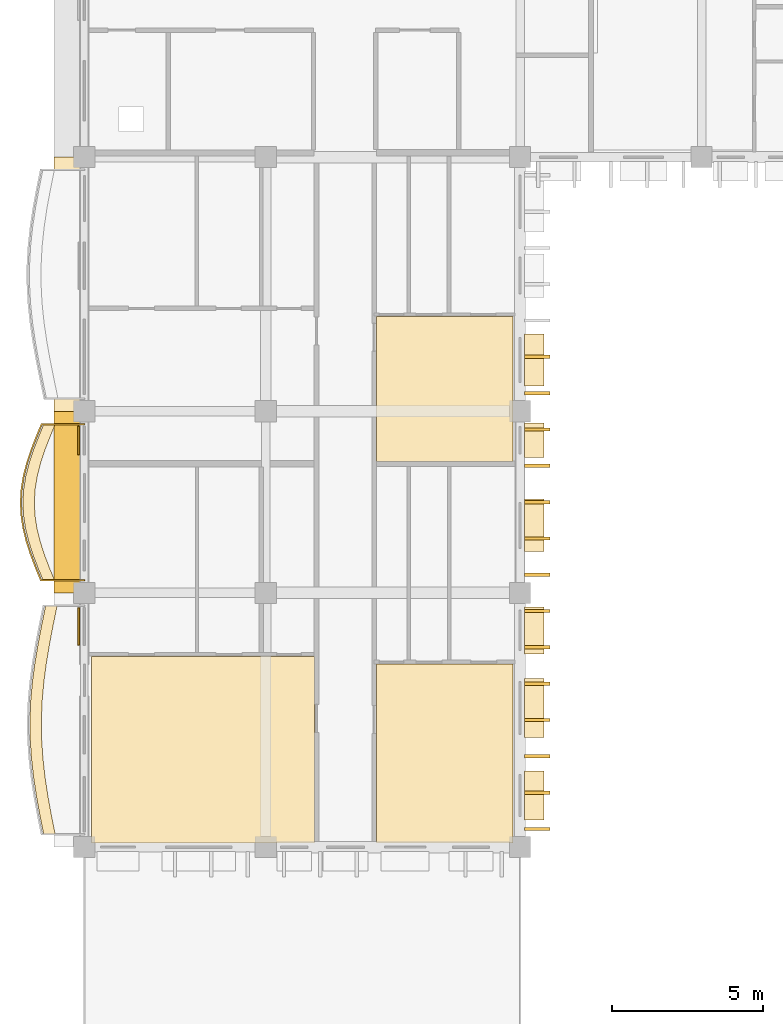
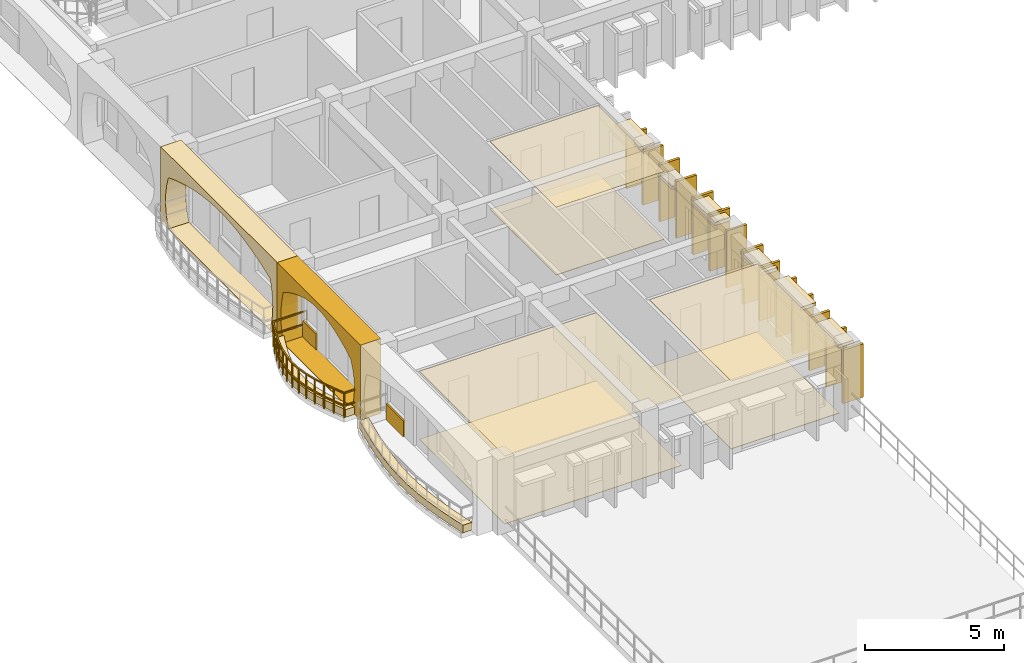
# One storey, part 47 of 66: 32 coverings, 1 railing.
"""IFC4 building model written with IfcOpenShell, lengths in metres."""

from ifc_helpers import new_model, si_unit, direction, frame, origin, origin_2d, place, context, subcontext, project, spatial, polyline, rectangle, outline, extrude, material, layer, layer_set, type_object, element, save


model = new_model("IFC4")

# Units and contexts
model_context = context("Model", 3, precision=1e-05, world=origin(), true_north=direction((0.0, 1.0)))
body_context = subcontext(model_context, "Body", "Model", "MODEL_VIEW")
ifc_project = project(units=[si_unit("LENGTHUNIT", "METRE"), si_unit("AREAUNIT", "SQUARE_METRE"), si_unit("VOLUMEUNIT", "CUBIC_METRE"), si_unit("PLANEANGLEUNIT", "RADIAN"), si_unit("MASSUNIT", "GRAM", prefix="KILO"), si_unit("THERMODYNAMICTEMPERATUREUNIT", "KELVIN")], contexts=[model_context])

# Site, building, storey
site_placement = place(None, origin())
site = spatial("IfcSite", under=ifc_project, at=site_placement, CompositionType="ELEMENT")
building_placement = place(site_placement, origin())
building = spatial("IfcBuilding", under=site, at=building_placement, Name="Thalorik Housing Commons", CompositionType="ELEMENT")
storey_placement = place(building_placement, frame((0.0, 0.0, 21.300048828125)))
storey = spatial("IfcBuildingStorey", under=building, at=storey_placement, Name="L06", CompositionType="ELEMENT", Elevation=21.300048828125)

# Coverings
ifc_material_1 = material(Name="Cobalt blue glazed ceramic facade tile panel", Category="masonry")
ifc_layer_1 = layer(ifc_material_1, 0.06005859375, Name="Cobalt blue glazed ceramic facade tile panel", Category="masonry")
ifc_layer_set_1 = layer_set([ifc_layer_1], Name="Cobalt blue glazed ceramic facade tile panel")
covering_type_1 = type_object("IfcCoveringType", Name="ARC-CLD-BLU-60", PredefinedType="CLADDING", material=ifc_layer_set_1)
covering_1_placement = place(storey_placement, frame((8.219970703125, 99.840087890625, 0.0498046875), z_axis=(0.0, 0.0, 1.0), x_axis=(0.0, -1.0, 0.0)))
element("IfcCovering", 1, at=covering_1_placement, inside=storey, type_object=covering_type_1, Name="L06 De Stijl Recessed Window Spandrel 684", PredefinedType="CLADDING", context=body_context, shape_type="SweptSolid", body=[
    extrude(rectangle(XDim=0.949951171875, YDim=0.06005859375, at=origin_2d()), origin(), (0.0, 0.0, 1.0), 0.699951171875),
])
ifc_material_2 = material(Name="Precast concrete C40/50", Category="concrete")
ifc_layer_2 = layer(ifc_material_2, 0.85009765625, Name="Precast concrete C40/50", Category="concrete")
ifc_layer_set_2 = layer_set([ifc_layer_2], Name="Precast concrete C40/50")
covering_type_2 = type_object("IfcCoveringType", Name="ARC-CLD-CUSH-850", PredefinedType="CLADDING", material=ifc_layer_set_2)
covering_2_placement = place(storey_placement, frame((7.830078125, 105.0, 0.0), z_axis=(0.0, 0.0, 1.0), x_axis=(0.0, -1.0, 0.0)))
element("IfcCovering", 2, at=covering_2_placement, inside=storey, type_object=covering_type_2, Name="L06 White Precast Curved Cushion Bay Frame 681", PredefinedType="CLADDING", context=body_context, shape_type="SweptSolid", body=[
    extrude(outline(polyline([(-4.199951171875, 0.0), (4.199951171875, 0.0), (4.199951171875, 3.300048828125), (-4.199951171875, 3.300048828125), (-4.199951171875, 0.0)]), holes=[polyline([(3.6923828125, 0.02490234375), (3.799560546875, 0.40087890625), (3.864013671875, 0.776611328125), (3.88525390625, 1.152587890625), (3.864013671875, 1.5283203125), (3.799560546875, 1.904296875), (3.6923828125, 2.280029296875), (3.082275390625, 2.51123046875), (2.47216796875, 2.693115234375), (1.86181640625, 2.840087890625), (1.251708984375, 2.94970703125), (0.6416015625, 3.01708984375), (0.03125, 3.0400390625), (-0.5791015625, 3.01708984375), (-1.189208984375, 2.94970703125), (-1.79931640625, 2.840087890625), (-2.40966796875, 2.693115234375), (-3.019775390625, 2.51123046875), (-3.6298828125, 2.280029296875), (-3.750244140625, 1.904296875), (-3.822509765625, 1.5283203125), (-3.8466796875, 1.152587890625), (-3.822509765625, 0.776611328125), (-3.750244140625, 0.40087890625), (-3.6298828125, 0.02490234375), (3.6923828125, 0.02490234375)])]), frame((0.0, 0.425048828125, 0.0), z_axis=(0.0, -1.0, 0.0), x_axis=(1.0, 0.0, 0.0)), (0.0, 0.0, 1.0), 0.85009765625),
])
covering_3_placement = place(storey_placement, frame((7.830078125, 97.800048828125, 0.0), z_axis=(0.0, 0.0, 1.0), x_axis=(0.0, -1.0, 0.0)))
element("IfcCovering", 3, at=covering_3_placement, inside=storey, type_object=covering_type_2, Name="L06 White Precast Curved Cushion Bay Frame 683", PredefinedType="CLADDING", context=body_context, shape_type="SweptSolid", body=[
    extrude(outline(polyline([(-3.0, 0.0), (3.0, 0.0), (3.0, 3.300048828125), (-3.0, 3.300048828125), (-3.0, 0.0)]), holes=[polyline([(2.31005859375, 0.02490234375), (2.455810546875, 0.394287109375), (2.543212890625, 0.76318359375), (2.572265625, 1.132568359375), (2.543212890625, 1.501708984375), (2.455810546875, 1.870849609375), (2.31005859375, 2.239990234375), (1.90380859375, 2.4833984375), (1.49755859375, 2.6748046875), (1.09130859375, 2.82958984375), (0.68505859375, 2.94482421875), (0.27880859375, 3.01611328125), (-0.12744140625, 3.0400390625), (-0.53369140625, 3.01611328125), (-0.93994140625, 2.94482421875), (-1.34619140625, 2.82958984375), (-1.75244140625, 2.6748046875), (-2.15869140625, 2.4833984375), (-2.56494140625, 2.239990234375), (-2.65673828125, 1.870849609375), (-2.7119140625, 1.501708984375), (-2.730224609375, 1.132568359375), (-2.7119140625, 0.76318359375), (-2.65673828125, 0.394287109375), (-2.56494140625, 0.02490234375), (2.31005859375, 0.02490234375)])]), frame((0.0, 0.425048828125, 0.0), z_axis=(0.0, -1.0, 0.0), x_axis=(1.0, 0.0, 0.0)), (0.0, 0.0, 1.0), 0.85009765625),
])
ifc_layer_3 = layer(ifc_material_2, 0.85009765625, Name="Precast concrete C40/50", Category="concrete")
ifc_layer_set_3 = layer_set([ifc_layer_3], Name="Precast concrete C40/50")
covering_type_3 = type_object("IfcCoveringType", Name="ARC-CLD-FIN-850", PredefinedType="CLADDING", material=ifc_layer_set_3)
for number, where, z_axis, x_axis, name in (
    (4, (23.3701171875, 87.0, 0.0400390625), (0.0, 0.0, 1.0), (0.0, 1.0, 0.0), "L06 Courtyard Precast Vertical Brise-Soleil Fin 701"),
    (5, (23.3701171875, 88.199951171875, 0.0400390625), (0.0, 0.0, 1.0), (0.0, 1.0, 0.0), "L06 Courtyard Precast Vertical Brise-Soleil Fin 702"),
    (6, (23.3701171875, 89.39990234375, 0.0400390625), (0.0, 0.0, 1.0), (0.0, 1.0, 0.0), "L06 Courtyard Precast Vertical Brise-Soleil Fin 703"),
    (7, (23.3701171875, 90.60009765625, 0.0400390625), (0.0, 0.0, 1.0), (0.0, 1.0, 0.0), "L06 Courtyard Precast Vertical Brise-Soleil Fin 704"),
    (8, (23.3701171875, 91.800048828125, 0.0400390625), (0.0, 0.0, 1.0), (0.0, 1.0, 0.0), "L06 Courtyard Precast Vertical Brise-Soleil Fin 705"),
    (9, (23.3701171875, 93.0, 0.0400390625), (0.0, 0.0, 1.0), (0.0, 1.0, 0.0), "L06 Courtyard Precast Vertical Brise-Soleil Fin 706"),
    (10, (23.3701171875, 94.199951171875, 0.0400390625), (0.0, 0.0, 1.0), (0.0, 1.0, 0.0), "L06 Courtyard Precast Vertical Brise-Soleil Fin 707"),
):
    element("IfcCovering", number, at=place(storey_placement, frame(where, z_axis=z_axis, x_axis=x_axis)), inside=storey, type_object=covering_type_3, Name=name, PredefinedType="CLADDING", context=body_context, shape_type="SweptSolid", body=[
        extrude(rectangle(XDim=0.110107421875, YDim=0.85009765625, at=origin_2d()), origin(), (0.0, 0.0, 1.0), 2.344970703125),
    ])
for number, where, z_axis, x_axis, name in (
    (11, (23.3701171875, 95.39990234375, 0.039794921875), (0.0, 0.0, 1.0), (0.0, 1.0, 0.0), "L06 Courtyard Precast Vertical Brise-Soleil Fin 711"),
    (12, (23.3701171875, 96.60009765625, 0.039794921875), (0.0, 0.0, 1.0), (0.0, 1.0, 0.0), "L06 Courtyard Precast Vertical Brise-Soleil Fin 712"),
    (13, (23.3701171875, 97.800048828125, 0.039794921875), (0.0, 0.0, 1.0), (0.0, 1.0, 0.0), "L06 Courtyard Precast Vertical Brise-Soleil Fin 713"),
    (14, (23.3701171875, 99.0, 0.039794921875), (0.0, 0.0, 1.0), (0.0, 1.0, 0.0), "L06 Courtyard Precast Vertical Brise-Soleil Fin 714"),
    (15, (23.3701171875, 100.199951171875, 0.039794921875), (0.0, 0.0, 1.0), (0.0, 1.0, 0.0), "L06 Courtyard Precast Vertical Brise-Soleil Fin 715"),
):
    element("IfcCovering", number, at=place(storey_placement, frame(where, z_axis=z_axis, x_axis=x_axis)), inside=storey, type_object=covering_type_3, Name=name, PredefinedType="CLADDING", context=body_context, shape_type="SweptSolid", body=[
        extrude(rectangle(XDim=0.110107421875, YDim=0.85009765625, at=origin_2d()), origin(), (0.0, 0.0, 1.0), 2.4951171875),
    ])
for number, where, z_axis, x_axis, name in (
    (16, (23.3701171875, 101.39990234375, 0.0400390625), (0.0, 0.0, 1.0), (0.0, 1.0, 0.0), "L06 Courtyard Precast Vertical Brise-Soleil Fin 718"),
    (17, (23.3701171875, 102.60009765625, 0.0400390625), (0.0, 0.0, 1.0), (0.0, 1.0, 0.0), "L06 Courtyard Precast Vertical Brise-Soleil Fin 719"),
):
    element("IfcCovering", number, at=place(storey_placement, frame(where, z_axis=z_axis, x_axis=x_axis)), inside=storey, type_object=covering_type_3, Name=name, PredefinedType="CLADDING", context=body_context, shape_type="SweptSolid", body=[
        extrude(rectangle(XDim=0.110107421875, YDim=0.85009765625, at=origin_2d()), origin(), (0.0, 0.0, 1.0), 2.344970703125),
    ])
ifc_layer_4 = layer(ifc_material_2, 0.64990234375, Name="Precast concrete C40/50", Category="concrete")
ifc_layer_set_4 = layer_set([ifc_layer_4], Name="Precast concrete C40/50")
covering_type_4 = type_object("IfcCoveringType", Name="ARC-CLD-HOOD-650", PredefinedType="CLADDING", material=ifc_layer_set_4)
covering_4_placement = place(storey_placement, frame((23.27001953125, 88.105712890625, 2.27001953125), z_axis=(0.0, 0.0, 1.0), x_axis=(0.0, 1.0, 0.0)))
element("IfcCovering", 18, at=covering_4_placement, inside=storey, type_object=covering_type_4, Name="L06 Courtyard Precast Window Sun-Hood 708", PredefinedType="CLADDING", context=body_context, shape_type="SweptSolid", body=[
    extrude(rectangle(XDim=1.6201171875, YDim=0.64990234375, at=origin_2d()), origin(), (0.0, 0.0, 1.0), 0.139892578125),
])
covering_5_placement = place(storey_placement, frame((23.27001953125, 90.9970703125, 2.27490234375), z_axis=(0.0, 0.0, 1.0), x_axis=(0.0, 1.0, 0.0)))
element("IfcCovering", 19, at=covering_5_placement, inside=storey, type_object=covering_type_4, Name="L06 Courtyard Precast Window Sun-Hood 709", PredefinedType="CLADDING", context=body_context, shape_type="SweptSolid", body=[
    extrude(rectangle(XDim=1.9599609375, YDim=0.64990234375, at=origin_2d()), origin(), (0.0, 0.0, 1.0), 0.139892578125),
])
covering_6_placement = place(storey_placement, frame((23.27001953125, 93.561279296875, 2.14013671875), z_axis=(0.0, 0.0, 1.0), x_axis=(0.0, 1.0, 0.0)))
element("IfcCovering", 20, at=covering_6_placement, inside=storey, type_object=covering_type_4, Name="L06 Courtyard Precast Window Sun-Hood 710", PredefinedType="CLADDING", context=body_context, shape_type="SweptSolid", body=[
    extrude(rectangle(XDim=1.56005859375, YDim=0.64990234375, at=origin_2d()), origin(), (0.0, 0.0, 1.0), 0.139892578125),
])
covering_7_placement = place(storey_placement, frame((23.27001953125, 97.030029296875, 2.2900390625), z_axis=(0.0, 0.0, 1.0), x_axis=(0.0, 1.0, 0.0)))
element("IfcCovering", 21, at=covering_7_placement, inside=storey, type_object=covering_type_4, Name="L06 Courtyard Precast Window Sun-Hood 716", PredefinedType="CLADDING", context=body_context, shape_type="SweptSolid", body=[
    extrude(rectangle(XDim=1.739990234375, YDim=0.64990234375, at=origin_2d()), origin(), (0.0, 0.0, 1.0), 0.139892578125),
])
covering_8_placement = place(storey_placement, frame((23.27001953125, 99.840087890625, 1.990234375), z_axis=(0.0, 0.0, 1.0), x_axis=(0.0, 1.0, 0.0)))
element("IfcCovering", 22, at=covering_8_placement, inside=storey, type_object=covering_type_4, Name="L06 Courtyard Precast Window Sun-Hood 717", PredefinedType="CLADDING", context=body_context, shape_type="SweptSolid", body=[
    extrude(rectangle(XDim=1.139892578125, YDim=0.64990234375, at=origin_2d()), origin(), (0.0, 0.0, 1.0), 0.139892578125),
])
covering_9_placement = place(storey_placement, frame((23.27001953125, 102.494873046875, 2.27490234375), z_axis=(0.0, 0.0, 1.0), x_axis=(0.0, 1.0, 0.0)))
element("IfcCovering", 23, at=covering_9_placement, inside=storey, type_object=covering_type_4, Name="L06 Courtyard Precast Window Sun-Hood 725", PredefinedType="CLADDING", context=body_context, shape_type="SweptSolid", body=[
    extrude(rectangle(XDim=1.719970703125, YDim=0.64990234375, at=origin_2d()), origin(), (0.0, 0.0, 1.0), 0.139892578125),
])
ifc_material_3 = material(Name="Mineral ochre architectural terracotta panel", Category="masonry")
ifc_layer_5 = layer(ifc_material_3, 0.06494140625, Name="Mineral ochre architectural terracotta panel", Category="masonry")
ifc_layer_set_5 = layer_set([ifc_layer_5], Name="Mineral ochre architectural terracotta panel")
covering_type_5 = type_object("IfcCoveringType", Name="ARC-CLD-YEL-65", PredefinedType="CLADDING", material=ifc_layer_set_5)
covering_10_placement = place(storey_placement, frame((8.217529296875, 93.6875, 0.0498046875), z_axis=(0.0, 0.0, 1.0), x_axis=(0.0, -1.0, 0.0)))
element("IfcCovering", 24, at=covering_10_placement, inside=storey, type_object=covering_type_5, Name="L06 De Stijl Recessed Window Spandrel 686", PredefinedType="CLADDING", context=body_context, shape_type="SweptSolid", body=[
    extrude(rectangle(XDim=1.25, YDim=0.06494140625, at=origin_2d()), origin(), (0.0, 0.0, 1.0), 0.699951171875),
])
ifc_material_4 = material(Name="Mineral fibre acoustic ceiling tile")
ifc_layer_6 = layer(ifc_material_4, 0.01806640625, Name="Mineral fibre acoustic ceiling tile")
ifc_layer_set_6 = layer_set([ifc_layer_6], Name="Mineral fibre acoustic ceiling tile")
covering_type_6 = type_object("IfcCoveringType", Name="ARC-COV-CEIL-02", PredefinedType="CEILING", material=ifc_layer_set_6)
covering_11_placement = place(storey_placement, frame((0.0, 0.0, 2.98193359375)))
element("IfcCovering", 25, at=covering_11_placement, inside=storey, type_object=covering_type_6, Name="L06 Sunlit Wintergarden Lounge Suspended Ceiling", PredefinedType="CEILING", context=body_context, shape_type="SweptSolid", body=[
    extrude(outline(polyline([(16.0, 92.695068359375), (8.639892578125, 92.695068359375), (8.639892578125, 86.5400390625), (16.0, 86.5400390625), (16.0, 92.695068359375)])), origin(), (0.0, 0.0, 1.0), 0.01806640625),
])
ifc_material_5 = material(Name="Slatted timber acoustic hall baffle ceiling", Category="wood")
ifc_layer_7 = layer(ifc_material_5, 0.02197265625, Name="Slatted timber acoustic hall baffle ceiling", Category="wood")
ifc_layer_set_7 = layer_set([ifc_layer_7], Name="Slatted timber acoustic hall baffle ceiling")
covering_type_7 = type_object("IfcCoveringType", Name="ARC-COV-CEIL-03", PredefinedType="CEILING", material=ifc_layer_set_7)
covering_12_placement = place(storey_placement, frame((0.0, 0.0, 2.97802734375)))
element("IfcCovering", 26, at=covering_12_placement, inside=storey, type_object=covering_type_7, Name="L06 Living Dining Room Suspended Ceiling", PredefinedType="CEILING", context=body_context, shape_type="SweptSolid", body=[
    extrude(outline(polyline([(22.56005859375, 92.44287109375), (18.06005859375, 92.44287109375), (18.06005859375, 86.5400390625), (22.56005859375, 86.5400390625), (22.56005859375, 92.44287109375)])), origin(), (0.0, 0.0, 1.0), 0.02197265625),
])
ifc_material_6 = material(Name="Moisture-resistant gypsum bathroom ceiling")
ifc_layer_8 = layer(ifc_material_6, 0.02490234375, Name="Moisture-resistant gypsum bathroom ceiling")
ifc_layer_set_8 = layer_set([ifc_layer_8], Name="Moisture-resistant gypsum bathroom ceiling")
covering_type_8 = type_object("IfcCoveringType", Name="ARC-COV-CEIL-04", PredefinedType="CEILING", material=ifc_layer_set_8)
covering_13_placement = place(storey_placement, frame((0.0, 0.0, 2.974853515625)))
element("IfcCovering", 27, at=covering_13_placement, inside=storey, type_object=covering_type_8, Name="L06 Family Lounge Suspended Ceiling", PredefinedType="CEILING", context=body_context, shape_type="SweptSolid", body=[
    extrude(outline(polyline([(22.56005859375, 103.9296875), (18.06005859375, 103.9296875), (18.06005859375, 99.14990234375), (22.56005859375, 99.14990234375), (22.56005859375, 103.9296875)])), origin(), (0.0, 0.0, 1.0), 0.025146484375),
])
ifc_material_7 = material(Name="Slip-resistant quarry terracotta corridor tile", Category="masonry")
ifc_layer_9 = layer(ifc_material_7, 0.01611328125, Name="Slip-resistant quarry terracotta corridor tile", Category="masonry")
ifc_layer_set_9 = layer_set([ifc_layer_9], Name="Slip-resistant quarry terracotta corridor tile")
covering_type_9 = type_object("IfcCoveringType", Name="ARC-COV-FLR-02", PredefinedType="FLOORING", material=ifc_layer_set_9)
covering_14_placement = place(storey_placement, origin())
element("IfcCovering", 28, at=covering_14_placement, inside=storey, type_object=covering_type_9, Name="L06 Sunlit Wintergarden Lounge Flooring", PredefinedType="FLOORING", context=body_context, shape_type="SweptSolid", body=[
    extrude(outline(polyline([(16.0, 92.695068359375), (8.639892578125, 92.695068359375), (8.639892578125, 86.5400390625), (16.0, 86.5400390625), (16.0, 92.695068359375)])), origin(), (0.0, 0.0, 1.0), 0.015869140625),
])
ifc_material_8 = material(Name="Cushioned natural linoleum nursery playroom flooring")
ifc_layer_10 = layer(ifc_material_8, 0.02001953125, Name="Cushioned natural linoleum nursery playroom flooring")
ifc_layer_set_10 = layer_set([ifc_layer_10], Name="Cushioned natural linoleum nursery playroom flooring")
covering_type_10 = type_object("IfcCoveringType", Name="ARC-COV-FLR-03", PredefinedType="FLOORING", material=ifc_layer_set_10)
covering_15_placement = place(storey_placement, origin())
element("IfcCovering", 29, at=covering_15_placement, inside=storey, type_object=covering_type_10, Name="L06 Living Dining Room Flooring", PredefinedType="FLOORING", context=body_context, shape_type="SweptSolid", body=[
    extrude(outline(polyline([(22.56005859375, 92.44287109375), (18.06005859375, 92.44287109375), (18.06005859375, 86.5400390625), (22.56005859375, 86.5400390625), (22.56005859375, 92.44287109375)])), origin(), (0.0, 0.0, 1.0), 0.02001953125),
])
ifc_material_9 = material(Name="Sprung Brazilian oak assembly hall timber floor", Category="wood")
ifc_layer_11 = layer(ifc_material_9, 0.02392578125, Name="Sprung Brazilian oak assembly hall timber floor", Category="wood")
ifc_layer_set_11 = layer_set([ifc_layer_11], Name="Sprung Brazilian oak assembly hall timber floor")
covering_type_11 = type_object("IfcCoveringType", Name="ARC-COV-FLR-04", PredefinedType="FLOORING", material=ifc_layer_set_11)
covering_16_placement = place(storey_placement, origin())
element("IfcCovering", 30, at=covering_16_placement, inside=storey, type_object=covering_type_11, Name="L06 Family Lounge Flooring", PredefinedType="FLOORING", context=body_context, shape_type="SweptSolid", body=[
    extrude(outline(polyline([(22.56005859375, 103.9296875), (18.06005859375, 103.9296875), (18.06005859375, 99.14990234375), (22.56005859375, 99.14990234375), (22.56005859375, 103.9296875)])), origin(), (0.0, 0.0, 1.0), 0.02392578125),
])
ifc_material_10 = material(Name="Planted vegetated substrate and terracotta trough", Category="masonry")
ifc_layer_12 = layer(ifc_material_10, 0.340087890625, Name="Planted vegetated substrate and terracotta trough", Category="masonry")
ifc_layer_set_12 = layer_set([ifc_layer_12], Name="Planted vegetated substrate and terracotta trough")
covering_type_12 = type_object("IfcCoveringType", Name="ARC-COV-PLANTER", PredefinedType="USERDEFINED", material=ifc_layer_set_12)
covering_17_placement = place(storey_placement, origin())
element("IfcCovering", 31, at=covering_17_placement, inside=storey, type_object=covering_type_12, Name="L06 Balcony Slab-Edge Planted Trough 5361", ObjectType="PLANTER", PredefinedType="USERDEFINED", context=body_context, shape_type="SweptSolid", body=[
    extrude(outline(polyline([(7.122802734375, 94.3798828125), (6.9951171875, 93.75), (6.87451171875, 93.1201171875), (6.768798828125, 92.489990234375), (6.68505859375, 91.860107421875), (6.62890625, 91.22998046875), (6.60400390625, 90.60009765625), (6.612060546875, 89.969970703125), (6.65283203125, 89.340087890625), (6.7236328125, 88.7099609375), (6.819580078125, 88.080078125), (6.934814453125, 87.449951171875), (7.061279296875, 86.820068359375), (7.44140625, 86.820068359375), (7.314697265625, 87.449951171875), (7.19970703125, 88.080078125), (7.103759765625, 88.7099609375), (7.032958984375, 89.340087890625), (6.9921875, 89.969970703125), (6.98388671875, 90.60009765625), (7.0087890625, 91.22998046875), (7.065185546875, 91.860107421875), (7.14892578125, 92.489990234375), (7.254638671875, 93.1201171875), (7.375244140625, 93.75), (7.502685546875, 94.3798828125), (7.122802734375, 94.3798828125)])), origin(), (0.0, 0.0, 1.0), 0.33984375),
])
covering_18_placement = place(storey_placement, origin())
element("IfcCovering", 32, at=covering_18_placement, inside=storey, type_object=covering_type_12, Name="L06 Balcony Slab-Edge Planted Trough 5362", ObjectType="PLANTER", PredefinedType="USERDEFINED", context=body_context, shape_type="SweptSolid", body=[
    extrude(outline(polyline([(7.064208984375, 100.3798828125), (6.885498046875, 99.949951171875), (6.71923828125, 99.52001953125), (6.576904296875, 99.090087890625), (6.466796875, 98.659912109375), (6.396728515625, 98.22998046875), (6.37109375, 97.800048828125), (6.39111328125, 97.3701171875), (6.45556640625, 96.93994140625), (6.560302734375, 96.510009765625), (6.697998046875, 96.080078125), (6.8603515625, 95.64990234375), (7.0361328125, 95.219970703125), (7.416259765625, 95.219970703125), (7.240234375, 95.64990234375), (7.078125, 96.080078125), (6.940185546875, 96.510009765625), (6.83544921875, 96.93994140625), (6.77099609375, 97.3701171875), (6.7509765625, 97.800048828125), (6.77685546875, 98.22998046875), (6.846923828125, 98.659912109375), (6.956787109375, 99.090087890625), (7.099365234375, 99.52001953125), (7.265380859375, 99.949951171875), (7.444091796875, 100.3798828125), (7.064208984375, 100.3798828125)])), origin(), (0.0, 0.0, 1.0), 0.33984375),
])

# Railing
ifc_material_11 = material(Name="Steel S355", Category="steel")
railing_type = type_object("IfcRailingType", Name="ARC-RL-BAL-112", PredefinedType="BALUSTRADE", material=ifc_material_11)
railing_placement = place(storey_placement, frame((8.39990234375, 100.3798828125, 0.0)))
element("IfcRailing", 33, at=railing_placement, inside=storey, type_object=railing_type, Name="L06 Cushion Balcony Guardrail 46", PredefinedType="BALUSTRADE", context=body_context, shape_type="SweptSolid", body=[
    extrude(rectangle(XDim=0.050048828125, YDim=0.050048828125, at=origin_2d()), frame((0.0, 0.0, 1.09521484375), z_axis=(-1.0, 0.0, 0.0), x_axis=(0.0, -1.0, 0.0)), (0.0, 0.0, 1.0), 1.40576171875),
    extrude(rectangle(XDim=0.050048828125, YDim=0.050048828125, at=origin_2d()), frame((0.0, 0.0, 0.53515625), z_axis=(-1.0, 0.0, 0.0), x_axis=(0.0, -1.0, 0.0)), (0.0, 0.0, 1.0), 1.40576171875),
    extrude(rectangle(XDim=0.050048828125, YDim=0.050048828125, at=origin_2d()), frame((-1.40576171875, 0.0, 1.09521484375), z_axis=(-0.383833356978, -0.923402379286, 0.0), x_axis=(0.923402379286, -0.383833356978, 0.0)), (0.0, 0.0, 1.0), 0.465576171875),
    extrude(rectangle(XDim=0.050048828125, YDim=0.050048828125, at=origin_2d()), frame((-1.40576171875, 0.0, 0.53515625), z_axis=(-0.383833356978, -0.923402379286, 0.0), x_axis=(0.923402379286, -0.383833356978, 0.0)), (0.0, 0.0, 1.0), 0.465576171875),
    extrude(rectangle(XDim=0.050048828125, YDim=0.050048828125, at=origin_2d()), frame((-1.58447265625, -0.429931640625, 1.09521484375), z_axis=(-0.360221185756, -0.9328669237, 0.0), x_axis=(0.9328669237, -0.360221185756, 0.0)), (0.0, 0.0, 1.0), 0.4609375),
    extrude(rectangle(XDim=0.050048828125, YDim=0.050048828125, at=origin_2d()), frame((-1.58447265625, -0.429931640625, 0.53515625), z_axis=(-0.360221185756, -0.9328669237, 0.0), x_axis=(0.9328669237, -0.360221185756, 0.0)), (0.0, 0.0, 1.0), 0.4609375),
    extrude(rectangle(XDim=0.050048828125, YDim=0.050048828125, at=origin_2d()), frame((-1.75048828125, -0.85986328125, 1.09521484375), z_axis=(-0.314772111925, -0.949167275855, 0.0), x_axis=(0.949167275855, -0.314772111925, 0.0)), (0.0, 0.0, 1.0), 0.452880859375),
    extrude(rectangle(XDim=0.050048828125, YDim=0.050048828125, at=origin_2d()), frame((-1.75048828125, -0.85986328125, 0.53515625), z_axis=(-0.314772111925, -0.949167275855, 0.0), x_axis=(0.949167275855, -0.314772111925, 0.0)), (0.0, 0.0, 1.0), 0.452880859375),
    extrude(rectangle(XDim=0.050048828125, YDim=0.050048828125, at=origin_2d()), frame((-1.89306640625, -1.289794921875, 1.09521484375), z_axis=(-0.247449147002, -0.968900882262, 0.0), x_axis=(0.968900882262, -0.247449147002, 0.0)), (0.0, 0.0, 1.0), 0.444091796875),
    extrude(rectangle(XDim=0.050048828125, YDim=0.050048828125, at=origin_2d()), frame((-1.89306640625, -1.289794921875, 0.53515625), z_axis=(-0.247449147002, -0.968900882262, 0.0), x_axis=(0.968900882262, -0.247449147002, 0.0)), (0.0, 0.0, 1.0), 0.444091796875),
    extrude(rectangle(XDim=0.050048828125, YDim=0.050048828125, at=origin_2d()), frame((-2.0029296875, -1.719970703125, 1.09521484375), z_axis=(-0.160853365409, -0.986978315282, 0.0), x_axis=(0.986978315282, -0.160853365409, 0.0)), (0.0, 0.0, 1.0), 0.435546875),
    extrude(rectangle(XDim=0.050048828125, YDim=0.050048828125, at=origin_2d()), frame((-2.0029296875, -1.719970703125, 0.53515625), z_axis=(-0.160853365409, -0.986978315282, 0.0), x_axis=(0.986978315282, -0.160853365409, 0.0)), (0.0, 0.0, 1.0), 0.435546875),
    extrude(rectangle(XDim=0.050048828125, YDim=0.050048828125, at=origin_2d()), frame((-2.072998046875, -2.14990234375, 1.09521484375), z_axis=(-0.0600843216, -0.998193305076, 0.0), x_axis=(0.998193305076, -0.0600843216, 0.0)), (0.0, 0.0, 1.0), 0.4306640625),
    extrude(rectangle(XDim=0.050048828125, YDim=0.050048828125, at=origin_2d()), frame((-2.072998046875, -2.14990234375, 0.53515625), z_axis=(-0.0600843216, -0.998193305076, 0.0), x_axis=(0.998193305076, -0.0600843216, 0.0)), (0.0, 0.0, 1.0), 0.4306640625),
    extrude(rectangle(XDim=0.050048828125, YDim=0.050048828125, at=origin_2d()), frame((-2.098876953125, -2.579833984375, 1.09521484375), z_axis=(0.046514052316, -0.998917635712, 0.0), x_axis=(0.998917635712, 0.046514052316, 0.0)), (0.0, 0.0, 1.0), 0.430419921875),
    extrude(rectangle(XDim=0.050048828125, YDim=0.050048828125, at=origin_2d()), frame((-2.098876953125, -2.579833984375, 0.53515625), z_axis=(0.046514052316, -0.998917635712, 0.0), x_axis=(0.998917635712, 0.046514052316, 0.0)), (0.0, 0.0, 1.0), 0.430419921875),
    extrude(rectangle(XDim=0.050048828125, YDim=0.050048828125, at=origin_2d()), frame((-2.078857421875, -3.009765625, 1.09521484375), z_axis=(0.148175774529, -0.988961040609, 0.0), x_axis=(0.988961040609, 0.148175774529, 0.0)), (0.0, 0.0, 1.0), 0.43505859375),
    extrude(rectangle(XDim=0.050048828125, YDim=0.050048828125, at=origin_2d()), frame((-2.078857421875, -3.009765625, 0.53515625), z_axis=(0.148175774529, -0.988961040609, 0.0), x_axis=(0.988961040609, 0.148175774529, 0.0)), (0.0, 0.0, 1.0), 0.43505859375),
    extrude(rectangle(XDim=0.050048828125, YDim=0.050048828125, at=origin_2d()), frame((-2.014404296875, -3.43994140625, 1.09521484375), z_axis=(0.236689448034, -0.971585356615, 0.0), x_axis=(0.971585356615, 0.236689448034, 0.0)), (0.0, 0.0, 1.0), 0.442626953125),
    extrude(rectangle(XDim=0.050048828125, YDim=0.050048828125, at=origin_2d()), frame((-2.014404296875, -3.43994140625, 0.53515625), z_axis=(0.236689448034, -0.971585356615, 0.0), x_axis=(0.971585356615, 0.236689448034, 0.0)), (0.0, 0.0, 1.0), 0.442626953125),
    extrude(rectangle(XDim=0.050048828125, YDim=0.050048828125, at=origin_2d()), frame((-1.90966796875, -3.869873046875, 1.09521484375), z_axis=(0.305501556453, -0.95219157684, 0.0), x_axis=(0.95219157684, 0.305501556453, 0.0)), (0.0, 0.0, 1.0), 0.451416015625),
    extrude(rectangle(XDim=0.050048828125, YDim=0.050048828125, at=origin_2d()), frame((-1.90966796875, -3.869873046875, 0.53515625), z_axis=(0.305501556453, -0.95219157684, 0.0), x_axis=(0.95219157684, 0.305501556453, 0.0)), (0.0, 0.0, 1.0), 0.451416015625),
    extrude(rectangle(XDim=0.050048828125, YDim=0.050048828125, at=origin_2d()), frame((-1.771728515625, -4.2998046875, 1.09521484375), z_axis=(0.352636193324, -0.93576050096, 0.0), x_axis=(0.93576050096, 0.352636193324, 0.0)), (0.0, 0.0, 1.0), 0.459716796875),
    extrude(rectangle(XDim=0.050048828125, YDim=0.050048828125, at=origin_2d()), frame((-1.771728515625, -4.2998046875, 0.53515625), z_axis=(0.352636193324, -0.93576050096, 0.0), x_axis=(0.93576050096, 0.352636193324, 0.0)), (0.0, 0.0, 1.0), 0.459716796875),
    extrude(rectangle(XDim=0.050048828125, YDim=0.050048828125, at=origin_2d()), frame((-1.609619140625, -4.72998046875, 1.09521484375), z_axis=(0.37889884476, -0.925438093791, 0.0), x_axis=(0.925438093791, 0.37889884476, 0.0)), (0.0, 0.0, 1.0), 0.464599609375),
    extrude(rectangle(XDim=0.050048828125, YDim=0.050048828125, at=origin_2d()), frame((-1.609619140625, -4.72998046875, 0.53515625), z_axis=(0.37889884476, -0.925438093791, 0.0), x_axis=(0.925438093791, 0.37889884476, 0.0)), (0.0, 0.0, 1.0), 0.464599609375),
    extrude(rectangle(XDim=0.050048828125, YDim=0.050048828125, at=origin_2d()), frame((-1.43359375, -5.159912109375, 1.09521484375), z_axis=(1.0, 0.0, 0.0), x_axis=(0.0, 1.0, 0.0)), (0.0, 0.0, 1.0), 1.43359375),
    extrude(rectangle(XDim=0.050048828125, YDim=0.050048828125, at=origin_2d()), frame((-1.43359375, -5.159912109375, 0.53515625), z_axis=(1.0, 0.0, 0.0), x_axis=(0.0, 1.0, 0.0)), (0.0, 0.0, 1.0), 1.43359375),
    extrude(rectangle(XDim=0.0419921875, YDim=0.0419921875, at=origin_2d()), origin(), (0.0, 0.0, 1.0), 1.070068359375),
    extrude(rectangle(XDim=0.0419921875, YDim=0.0419921875, at=origin_2d()), frame((-1.40576171875, 0.0, 0.0)), (0.0, 0.0, 1.0), 1.070068359375),
    extrude(rectangle(XDim=0.0419921875, YDim=0.0419921875, at=origin_2d()), frame((-1.58447265625, -0.429931640625, 0.0)), (0.0, 0.0, 1.0), 1.070068359375),
    extrude(rectangle(XDim=0.0419921875, YDim=0.0419921875, at=origin_2d()), frame((-1.75048828125, -0.85986328125, 0.0)), (0.0, 0.0, 1.0), 1.070068359375),
    extrude(rectangle(XDim=0.0419921875, YDim=0.0419921875, at=origin_2d()), frame((-1.89306640625, -1.289794921875, 0.0)), (0.0, 0.0, 1.0), 1.070068359375),
    extrude(rectangle(XDim=0.0419921875, YDim=0.0419921875, at=origin_2d()), frame((-2.0029296875, -1.719970703125, 0.0)), (0.0, 0.0, 1.0), 1.070068359375),
    extrude(rectangle(XDim=0.0419921875, YDim=0.0419921875, at=origin_2d()), frame((-2.072998046875, -2.14990234375, 0.0)), (0.0, 0.0, 1.0), 1.070068359375),
    extrude(rectangle(XDim=0.0419921875, YDim=0.0419921875, at=origin_2d()), frame((-2.098876953125, -2.579833984375, 0.0)), (0.0, 0.0, 1.0), 1.070068359375),
    extrude(rectangle(XDim=0.0419921875, YDim=0.0419921875, at=origin_2d()), frame((-2.078857421875, -3.009765625, 0.0)), (0.0, 0.0, 1.0), 1.070068359375),
    extrude(rectangle(XDim=0.0419921875, YDim=0.0419921875, at=origin_2d()), frame((-2.014404296875, -3.43994140625, 0.0)), (0.0, 0.0, 1.0), 1.070068359375),
    extrude(rectangle(XDim=0.0419921875, YDim=0.0419921875, at=origin_2d()), frame((-1.90966796875, -3.869873046875, 0.0)), (0.0, 0.0, 1.0), 1.070068359375),
    extrude(rectangle(XDim=0.0419921875, YDim=0.0419921875, at=origin_2d()), frame((-1.771728515625, -4.2998046875, 0.0)), (0.0, 0.0, 1.0), 1.070068359375),
    extrude(rectangle(XDim=0.0419921875, YDim=0.0419921875, at=origin_2d()), frame((-1.609619140625, -4.72998046875, 0.0)), (0.0, 0.0, 1.0), 1.070068359375),
    extrude(rectangle(XDim=0.0419921875, YDim=0.0419921875, at=origin_2d()), frame((-1.43359375, -5.159912109375, 0.0)), (0.0, 0.0, 1.0), 1.070068359375),
    extrude(rectangle(XDim=0.0419921875, YDim=0.0419921875, at=origin_2d()), frame((0.0, -5.159912109375, 0.0)), (0.0, 0.0, 1.0), 1.070068359375),
])

save(model, "model.ifc")
